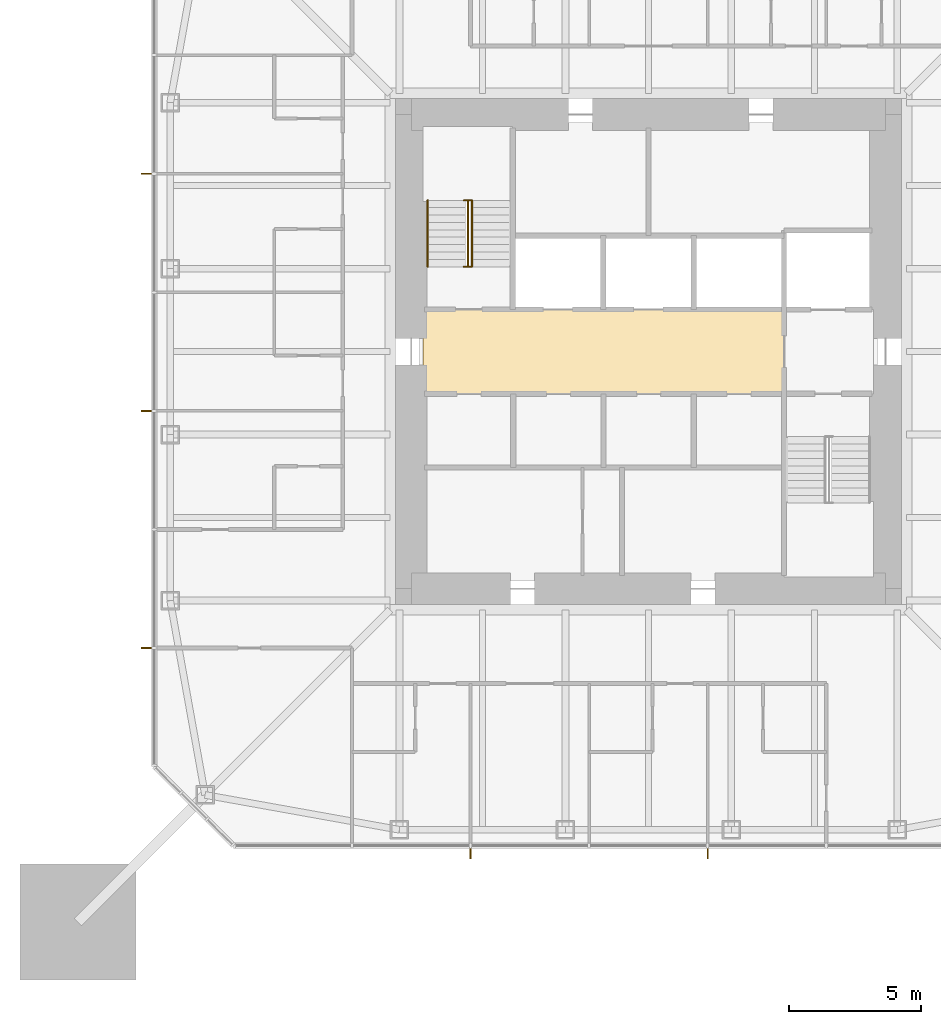
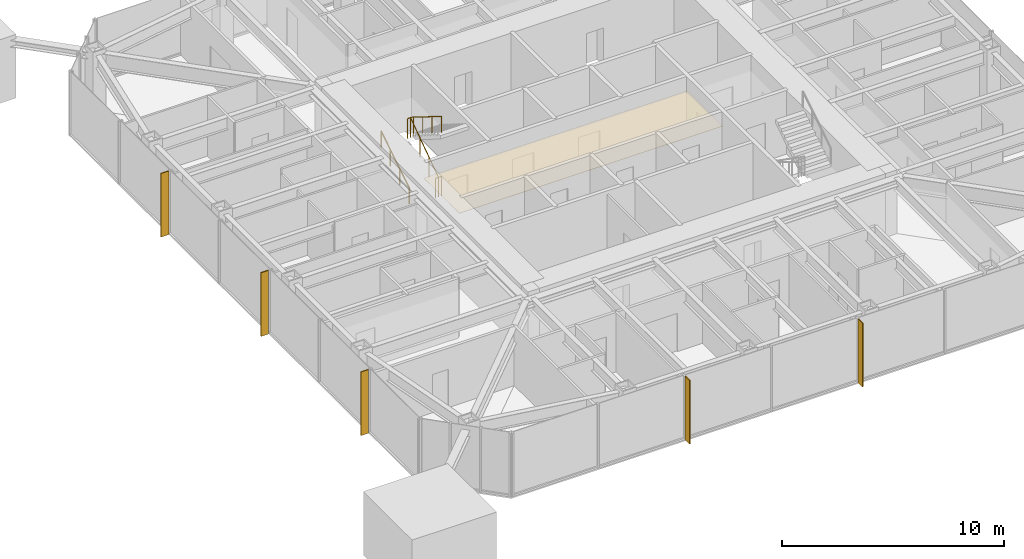
# One storey, part 9 of 11: 5 shading devices, 3 railings, 1 covering.
"""IFC4 building model written with IfcOpenShell, lengths in metres."""

from ifc_helpers import new_model, si_unit, direction, frame, origin, origin_2d, place, context, subcontext, project, spatial, polyline, rectangle, circle, outline, extrude, material, layer, layer_set, constituent, constituent_set, type_object, element, save


model = new_model("IFC4")

# Units and contexts
model_context = context("Model", 3, precision=1e-05, world=origin(), true_north=direction((0.0, 1.0)))
body_context = subcontext(model_context, "Body", "Model", "MODEL_VIEW")
ifc_project = project(units=[si_unit("LENGTHUNIT", "METRE"), si_unit("AREAUNIT", "SQUARE_METRE"), si_unit("VOLUMEUNIT", "CUBIC_METRE"), si_unit("PLANEANGLEUNIT", "RADIAN"), si_unit("MASSUNIT", "GRAM", prefix="KILO")], contexts=[model_context])

# Site, building, storey
site_placement = place(None, origin())
site = spatial("IfcSite", under=ifc_project, at=site_placement, CompositionType="ELEMENT")
building_placement = place(site_placement, origin())
building = spatial("IfcBuilding", under=site, at=building_placement, Name="Iwan Alto Co-Living Towers", CompositionType="ELEMENT")
storey_placement = place(building_placement, frame((0.0, 0.0, 156.5)))
storey = spatial("IfcBuildingStorey", under=building, at=storey_placement, Name="L42", CompositionType="ELEMENT", Elevation=156.5)

# Covering
ifc_material_1 = material(Name="Mineral fibre acoustic tiles on steel grid", Category="steel")
ifc_layer_1 = layer(ifc_material_1, 0.02001953125)
ifc_layer_set_1 = layer_set([ifc_layer_1], Name="ACOUSTIC TILE CEILING 20")
covering_type = type_object("IfcCoveringType", Name="ACOUSTIC TILE CEILING 20", PredefinedType="CEILING", material=ifc_layer_set_1)
covering_placement = place(storey_placement, frame((0.0, 0.0, 2.60009765625)))
element("IfcCovering", 1, at=covering_placement, inside=storey, type_object=covering_type, Name="Ceiling Lift lobby L42", PredefinedType="CEILING", context=body_context, shape_type="SweptSolid", body=[
    extrude(outline(polyline([(-8.550048828125, -1.60009765625), (-8.550048828125, 1.60009765625), (5.14990234375, 1.60009765625), (5.14990234375, -1.60009765625), (-8.550048828125, -1.60009765625)])), origin(), (0.0, 0.0, 1.0), 0.02001953125),
])

# Shading devices
ifc_material_2 = material(Name="Aluminium 6063-T6 bronze anodised", Category="aluminium")
ifc_layer_2 = layer(ifc_material_2, 0.050048828125)
ifc_layer_set_2 = layer_set([ifc_layer_2], Name="BRONZE FIN 50X400")
shading_device_type = type_object("IfcShadingDeviceType", Name="BRONZE FIN 50X400", PredefinedType="USERDEFINED", material=ifc_layer_set_2)
for number, where, z_axis, x_axis, name in (
    (2, (-6.75, -19.050048828125, 0.0), (0.0, 0.0, 1.0), (1.0, 0.0, 0.0), "Bronze fin L42"),
    (3, (2.25, -19.050048828125, 0.0), (0.0, 0.0, 1.0), (1.0, 0.0, 0.0), "Bronze fin L42"),
    (4, (-19.050048828125, 6.75, 0.0), (0.0, 0.0, 1.0), (0.0, -1.0, 0.0), "Bronze fin L42"),
    (5, (-19.050048828125, -2.25, 0.0), (0.0, 0.0, 1.0), (0.0, -1.0, 0.0), "Bronze fin L42"),
    (6, (-19.050048828125, -11.25, 0.0), (0.0, 0.0, 1.0), (0.0, -1.0, 0.0), "Bronze fin L42"),
):
    element("IfcShadingDevice", number, at=place(storey_placement, frame(where, z_axis=z_axis, x_axis=x_axis)), inside=storey, type_object=shading_device_type, Name=name, ObjectType="LOUVER", PredefinedType="USERDEFINED", context=body_context, shape_type="SweptSolid", body=[
        extrude(rectangle(XDim=0.050048828125, YDim=0.39990234375, at=origin_2d()), origin(), (0.0, 0.0, 1.0), 3.5),
    ])

# Railings
ifc_material_3 = material(Name="Steel ASTM A500 Gr C", Category="steel")
ifc_constituent_1 = constituent(ifc_material_3, Name="Rails and posts", Category="Framing")
ifc_material_4 = material(Name="Steel ASTM A36", Category="steel")
ifc_constituent_2 = constituent(ifc_material_4, Name="Bar infill", Category="Infill")
ifc_constituent_set = constituent_set(constituents=[ifc_constituent_1, ifc_constituent_2], Name="STAIR GUARD 1100")
railing_type_1 = type_object("IfcRailingType", Name="STAIR GUARD 1100", PredefinedType="GUARDRAIL", material=ifc_constituent_set)
railing_1_placement = place(storey_placement, frame((-6.85009765625, 3.219970703125, 0.0)))
element("IfcRailing", 7, at=railing_1_placement, inside=storey, type_object=railing_type_1, Name="Stair T1-S1 well guard L42", PredefinedType="GUARDRAIL", context=body_context, shape_type="SweptSolid", body=[
    extrude(circle(Radius=0.02392578125, at=origin_2d()), frame((0.0, 0.0, 1.076171875), z_axis=(0.0, 0.821372036852, 0.570392826987), x_axis=(-1.0, 0.0, 0.0)), (0.0, 0.0, 1.0), 3.068115234375),
    extrude(circle(Radius=0.02392578125, at=origin_2d()), frame((-0.14990234375, 0.0, 1.076171875), z_axis=(1.0, 0.0, 0.0), x_axis=(0.0, 1.0, 0.0)), (0.0, 0.0, 1.0), 0.300048828125),
    extrude(circle(Radius=0.02392578125, at=origin_2d()), frame((-0.14990234375, 2.52001953125, 2.826171875), z_axis=(1.0, 0.0, 0.0), x_axis=(0.0, 1.0, 0.0)), (0.0, 0.0, 1.0), 0.300048828125),
    extrude(circle(Radius=0.02099609375, at=origin_2d()), origin(), (0.0, 0.0, 1.0), 1.052001953125),
    extrude(circle(Radius=0.02099609375, at=origin_2d()), frame((0.0, 0.840087890625, 0.583251953125)), (0.0, 0.0, 1.0), 1.052001953125),
    extrude(circle(Radius=0.02099609375, at=origin_2d()), frame((0.0, 1.679931640625, 1.166748046875)), (0.0, 0.0, 1.0), 1.052001953125),
    extrude(circle(Radius=0.02099609375, at=origin_2d()), frame((0.0, 2.52001953125, 1.75)), (0.0, 0.0, 1.0), 1.052001953125),
    extrude(circle(Radius=0.02099609375, at=origin_2d()), frame((-0.14990234375, 0.0, 0.0)), (0.0, 0.0, 1.0), 1.052001953125),
    extrude(circle(Radius=0.02099609375, at=origin_2d()), frame((0.150146484375, 0.0, 0.0)), (0.0, 0.0, 1.0), 1.052001953125),
    extrude(circle(Radius=0.02099609375, at=origin_2d()), frame((-0.14990234375, 2.52001953125, 1.75)), (0.0, 0.0, 1.0), 1.052001953125),
    extrude(circle(Radius=0.02099609375, at=origin_2d()), frame((0.150146484375, 2.52001953125, 1.75)), (0.0, 0.0, 1.0), 1.052001953125),
])
ifc_material_5 = material(Name="Steel ASTM A500 Gr C", Category="steel")
railing_type_2 = type_object("IfcRailingType", Name="STAIR HANDRAIL 900", PredefinedType="HANDRAIL", material=ifc_material_5)
railing_2_placement = place(storey_placement, frame((-8.3798828125, 3.219970703125, 0.175048828125)))
element("IfcRailing", 8, at=railing_2_placement, inside=storey, type_object=railing_type_2, Name="Stair T1-S1 handrail 1 L42", PredefinedType="HANDRAIL", context=body_context, shape_type="SweptSolid", body=[
    extrude(circle(Radius=0.02392578125, at=origin_2d()), frame((0.0, 0.0, 0.8759765625), z_axis=(0.0, 0.848007534815, 0.529984170421), x_axis=(-1.0, 0.0, 0.0)), (0.0, 0.0, 1.0), 2.9716796875),
    extrude(circle(Radius=0.02099609375, at=origin_2d()), origin(), (0.0, 0.0, 1.0), 0.851806640625),
    extrude(circle(Radius=0.02099609375, at=origin_2d()), frame((0.0, 0.840087890625, 0.52490234375)), (0.0, 0.0, 1.0), 0.851806640625),
    extrude(circle(Radius=0.02099609375, at=origin_2d()), frame((0.0, 1.679931640625, 1.050048828125)), (0.0, 0.0, 1.0), 0.851806640625),
    extrude(circle(Radius=0.02099609375, at=origin_2d()), frame((0.0, 2.52001953125, 1.574951171875)), (0.0, 0.0, 1.0), 0.851806640625),
])
railing_3_placement = place(storey_placement, frame((-6.699951171875, 5.739990234375, 1.925048828125)))
element("IfcRailing", 9, at=railing_3_placement, inside=storey, type_object=railing_type_2, Name="Stair T1-S1 handrail 2 L42", PredefinedType="HANDRAIL", context=body_context, shape_type="SweptSolid", body=[
    extrude(circle(Radius=0.02392578125, at=origin_2d()), frame((0.0, 0.0, 0.8759765625), z_axis=(0.0, -0.848007534815, 0.529984170421), x_axis=(1.0, 0.0, 0.0)), (0.0, 0.0, 1.0), 2.9716796875),
    extrude(circle(Radius=0.02099609375, at=origin_2d()), origin(), (0.0, 0.0, 1.0), 0.851806640625),
    extrude(circle(Radius=0.02099609375, at=origin_2d()), frame((0.0, -0.840087890625, 0.52490234375)), (0.0, 0.0, 1.0), 0.851806640625),
    extrude(circle(Radius=0.02099609375, at=origin_2d()), frame((0.0, -1.679931640625, 1.050048828125)), (0.0, 0.0, 1.0), 0.851806640625),
    extrude(circle(Radius=0.02099609375, at=origin_2d()), frame((0.0, -2.52001953125, 1.574951171875)), (0.0, 0.0, 1.0), 0.851806640625),
])

save(model, "model.ifc")
